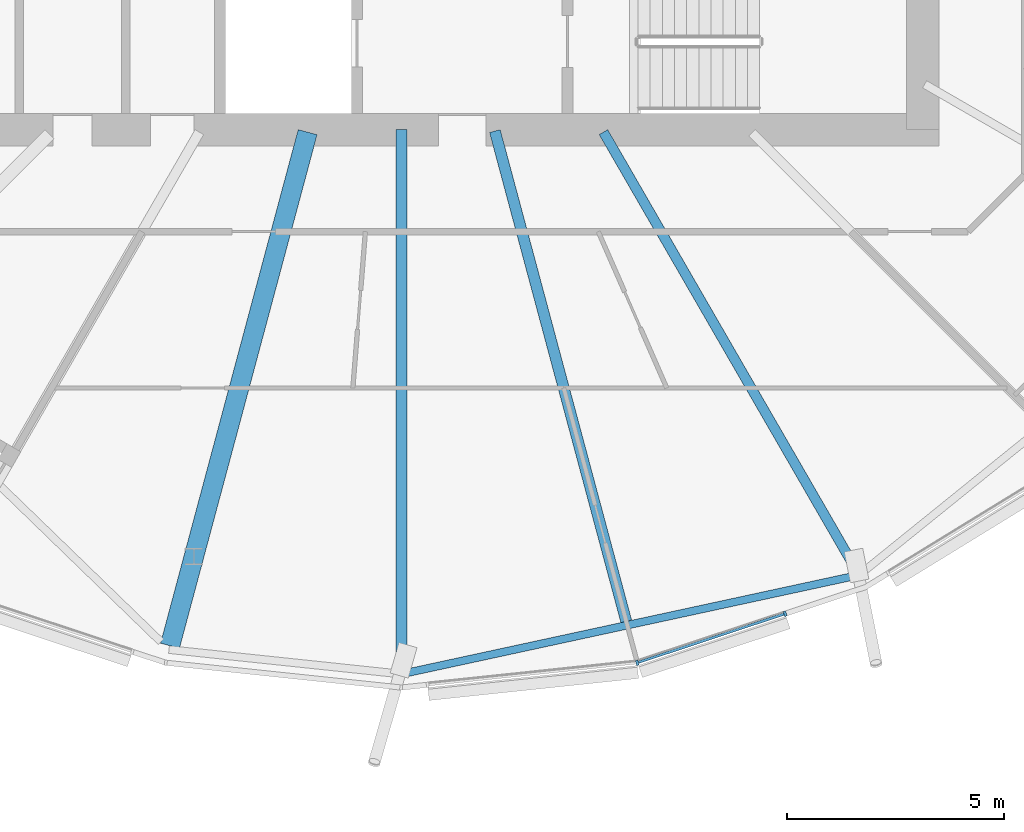
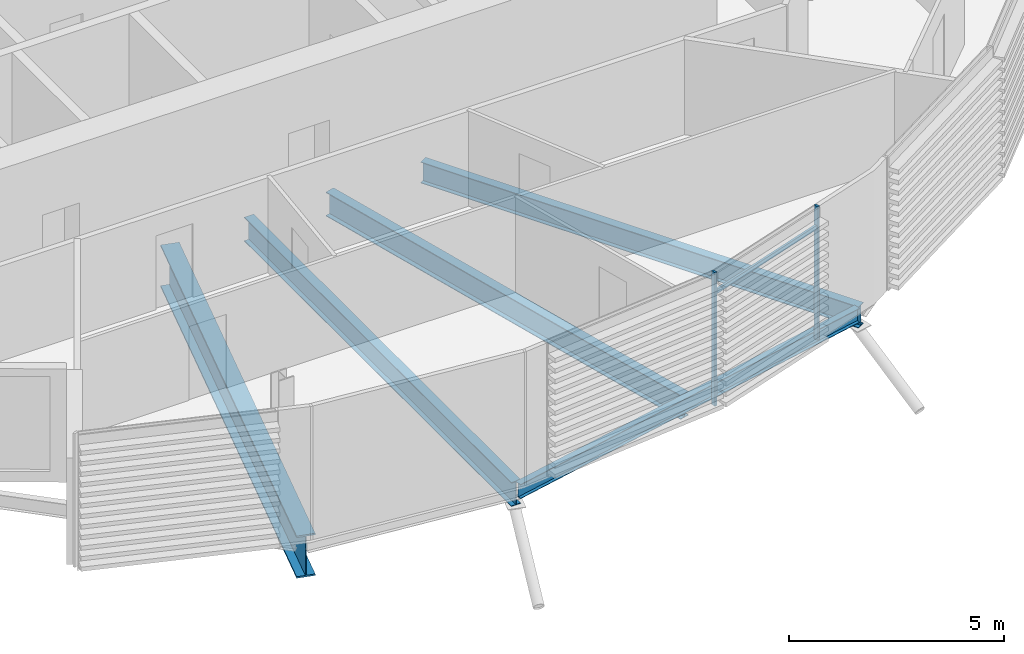
# One storey, part 4 of 38: 5 beams, 3 members, 1 element without a shape of its own.
"""IFC4 building model written with IfcOpenShell, lengths in metres."""

from ifc_helpers import new_model, si_unit, direction, frame, origin, origin_2d, place, context, subcontext, project, spatial, rectangle, i_section, extrude, material, material_profile, profile_set, type_object, element, aggregate, save


model = new_model("IFC4")

# Units and contexts
model_context = context("Model", 3, precision=1e-05, world=origin(), true_north=direction((0.0, 1.0)))
body_context = subcontext(model_context, "Body", "Model", "MODEL_VIEW")
ifc_project = project(units=[si_unit("LENGTHUNIT", "METRE"), si_unit("AREAUNIT", "SQUARE_METRE"), si_unit("VOLUMEUNIT", "CUBIC_METRE"), si_unit("PLANEANGLEUNIT", "RADIAN"), si_unit("MASSUNIT", "GRAM", prefix="KILO")], contexts=[model_context])

# Site, building, storey
site_placement = place(None, origin())
site = spatial("IfcSite", under=ifc_project, at=site_placement, CompositionType="ELEMENT")
building_placement = place(site_placement, origin())
building = spatial("IfcBuilding", under=site, at=building_placement, Name="Rimbun Link Towers", CompositionType="ELEMENT")
storey_placement = place(building_placement, frame((0.0, 0.0, 108.199951171875)))
storey = spatial("IfcBuildingStorey", under=building, at=storey_placement, Name="L26", CompositionType="ELEMENT", Elevation=108.199951171875)

# Curtain wall, members
ifc_material_1 = material(Name="Aluminium 6063-T6 and low-iron glass", Category="aluminium")
curtain_wall_type = type_object("IfcCurtainWallType", Name="CW1-Z2 unitised vision wall (zone 2)", PredefinedType="NOTDEFINED", material=ifc_material_1)
curtain_wall_placement = place(storey_placement, origin())
curtain_wall = element("IfcCurtainWall", 1, at=curtain_wall_placement, inside=storey, type_object=curtain_wall_type, Name="CW1 L26 T1", PredefinedType="NOTDEFINED")
ifc_material_2 = material(Name="Aluminium 6063-T6", Category="aluminium")
ifc_material_profile_1 = material_profile(ifc_material_2, rectangle(XDim=0.1201171875, YDim=0.06005859375, at=origin_2d()), Name="MULLION 60X120")
ifc_profile_set_1 = profile_set([ifc_material_profile_1], Name="Aluminium 6063-T6")
member_type_1 = type_object("IfcMemberType", Name="CW1 mullion 60X120", PredefinedType="MULLION", material=ifc_profile_set_1)
member_1_placement = place(storey_placement, frame((-26.320068359375, -20.276123046875, 0.0), z_axis=(0.0, 0.0, 1.0), x_axis=(0.210864978702, -0.9775151972, 0.0)))
member_1 = element("IfcMember", 2, at=member_1_placement, type_object=member_type_1, Name="CW1 mullion", PredefinedType="MULLION", context=body_context, shape_type="SweptSolid", body=[
    extrude(rectangle(XDim=0.1201171875, YDim=0.06005859375, at=origin_2d()), origin(), (0.0, 0.0, 1.0), 3.800048828125),
])
member_2_placement = place(storey_placement, frame((-22.9140625, -19.14794921875, 0.0), z_axis=(0.0, 0.0, 1.0), x_axis=(0.314562268358, -0.949236840481, 0.0)))
member_2 = element("IfcMember", 3, at=member_2_placement, type_object=member_type_1, Name="CW1 mullion", PredefinedType="MULLION", context=body_context, shape_type="SweptSolid", body=[
    extrude(rectangle(XDim=0.1201171875, YDim=0.06005859375, at=origin_2d()), origin(), (0.0, 0.0, 1.0), 3.800048828125),
])
ifc_material_3 = material(Name="Aluminium 6063-T6", Category="aluminium")
ifc_material_profile_2 = material_profile(ifc_material_3, rectangle(XDim=0.06005859375, YDim=0.1201171875, at=origin_2d()), Name="TRANSOM 60X120")
ifc_profile_set_2 = profile_set([ifc_material_profile_2], Name="Aluminium 6063-T6")
member_type_2 = type_object("IfcMemberType", Name="CW1 transom 60X120", PredefinedType="USERDEFINED", material=ifc_profile_set_2)
member_3_placement = place(storey_placement, frame((-22.943359375, -19.1552734375, 3.199951171875), z_axis=(-0.949215797743, -0.31462576073, 0.0), x_axis=(0.31462576073, -0.949215797743, 0.0)))
member_3 = element("IfcMember", 4, at=member_3_placement, type_object=member_type_2, Name="CW1 transom", ObjectType="TRANSOM", PredefinedType="USERDEFINED", context=body_context, shape_type="SweptSolid", body=[
    extrude(rectangle(XDim=0.06005859375, YDim=0.1201171875, at=origin_2d()), origin(), (0.0, 0.0, 1.0), 3.521240234375),
])
aggregate(curtain_wall, [member_1, member_2, member_3])

# Beams
ifc_material_4 = material(Name="Steel S355J2", Category="steel")
ifc_material_profile_3 = material_profile(ifc_material_4, i_section(OverallWidth=0.449951171875, OverallDepth=1.199951171875, WebThickness=0.030029296875, FlangeThickness=0.044921875, at=origin_2d()), Name="PG 1200x450x30/45")
ifc_profile_set_3 = profile_set([ifc_material_profile_3], Name="Steel S355J2")
beam_type_1 = type_object("IfcBeamType", Name="PG 1200x450x30/45", PredefinedType="BEAM", material=ifc_profile_set_3)
beam_1_placement = place(storey_placement, frame((-33.909423828125, -8.05908203125, -0.760009765625), z_axis=(-0.258815492751, -0.965926778132, 0.0), x_axis=(0.965926778132, -0.258815492751, 0.0)))
element("IfcBeam", 5, at=beam_1_placement, inside=storey, type_object=beam_type_1, Name="Radial beam T1 L26 17", PredefinedType="BEAM", context=body_context, shape_type="SweptSolid", body=[
    extrude(i_section(OverallWidth=0.449951171875, OverallDepth=1.199951171875, WebThickness=0.030029296875, FlangeThickness=0.044921875, at=origin_2d()), origin(), (0.0, 0.0, 1.0), 12.2431640625),
])
ifc_material_5 = material(Name="Steel S355J2", Category="steel")
ifc_material_profile_4 = material_profile(ifc_material_5, i_section(OverallWidth=0.177978515625, OverallDepth=0.406494140625, WebThickness=0.0078125, FlangeThickness=0.0126953125, at=origin_2d()), Name="UB 406x178x60")
ifc_profile_set_4 = profile_set([ifc_material_profile_4], Name="Steel S355J2")
beam_type_2 = type_object("IfcBeamType", Name="UB 406x178x60", PredefinedType="BEAM", material=ifc_profile_set_4)
beam_2_placement = place(storey_placement, frame((-31.7490234375, -20.536376953125, -0.363037109375), z_axis=(0.977393453012, 0.211428564788, 0.0), x_axis=(-0.211428564788, 0.977393453012, 0.0)))
element("IfcBeam", 6, at=beam_2_placement, inside=storey, type_object=beam_type_2, Name="Edge beam T1 L26 18-20", PredefinedType="BEAM", context=body_context, shape_type="SweptSolid", body=[
    extrude(i_section(OverallWidth=0.177978515625, OverallDepth=0.406494140625, WebThickness=0.0078125, FlangeThickness=0.0126953125, at=origin_2d()), origin(), (0.0, 0.0, 1.0), 10.66259765625),
])
ifc_material_6 = material(Name="Steel S355J2", Category="steel")
ifc_material_profile_5 = material_profile(ifc_material_6, i_section(OverallWidth=0.2275390625, OverallDepth=0.6025390625, WebThickness=0.010498046875, FlangeThickness=0.014892578125, at=origin_2d()), Name="UB 610x229x101")
ifc_profile_set_5 = profile_set([ifc_material_profile_5], Name="Steel S355J2")
beam_type_3 = type_object("IfcBeamType", Name="UB 610x229x101", PredefinedType="BEAM", material=ifc_profile_set_5)
beam_3_placement = place(storey_placement, frame((-27.097900390625, -8.057861328125, -0.461181640625), z_axis=(0.500005398586, -0.866022286887, 0.0), x_axis=(0.866022286887, 0.500005398586, 0.0)))
element("IfcBeam", 7, at=beam_3_placement, inside=storey, type_object=beam_type_3, Name="Radial beam T1 L26 20", PredefinedType="BEAM", context=body_context, shape_type="SweptSolid", body=[
    extrude(i_section(OverallWidth=0.2275390625, OverallDepth=0.6025390625, WebThickness=0.010498046875, FlangeThickness=0.014892578125, at=origin_2d()), origin(), (0.0, 0.0, 1.0), 11.776123046875),
])
ifc_material_7 = material(Name="Steel S355J2", Category="steel")
ifc_material_profile_6 = material_profile(ifc_material_7, i_section(OverallWidth=0.253662109375, OverallDepth=0.68359375, WebThickness=0.012451171875, FlangeThickness=0.01904296875, at=origin_2d()), Name="UB 686x254x140")
ifc_profile_set_6 = profile_set([ifc_material_profile_6], Name="Steel S355J2")
beam_type_4 = type_object("IfcBeamType", Name="UB 686x254x140", PredefinedType="BEAM", material=ifc_profile_set_6)
beam_4_placement = place(storey_placement, frame((-31.75, -8.0009765625, -0.501708984375), z_axis=(0.0, -1.0, 0.0), x_axis=(1.0, 0.0, 0.0)))
element("IfcBeam", 8, at=beam_4_placement, inside=storey, type_object=beam_type_4, Name="Radial beam T1 L26 18", PredefinedType="BEAM", context=body_context, shape_type="SweptSolid", body=[
    extrude(i_section(OverallWidth=0.253662109375, OverallDepth=0.68359375, WebThickness=0.012451171875, FlangeThickness=0.01904296875, at=origin_2d()), origin(), (0.0, 0.0, 1.0), 12.4453125),
])
beam_5_placement = place(storey_placement, frame((-29.597412109375, -8.03369140625, -0.501708984375), z_axis=(0.258822040224, -0.965925023744, 0.0), x_axis=(0.965925023744, 0.258822040224, 0.0)))
element("IfcBeam", 9, at=beam_5_placement, inside=storey, type_object=beam_type_4, Name="Radial beam T1 L26 19", PredefinedType="BEAM", context=body_context, shape_type="SweptSolid", body=[
    extrude(i_section(OverallWidth=0.253662109375, OverallDepth=0.68359375, WebThickness=0.012451171875, FlangeThickness=0.01904296875, at=origin_2d()), origin(), (0.0, 0.0, 1.0), 11.68896484375),
])

save(model, "model.ifc")
